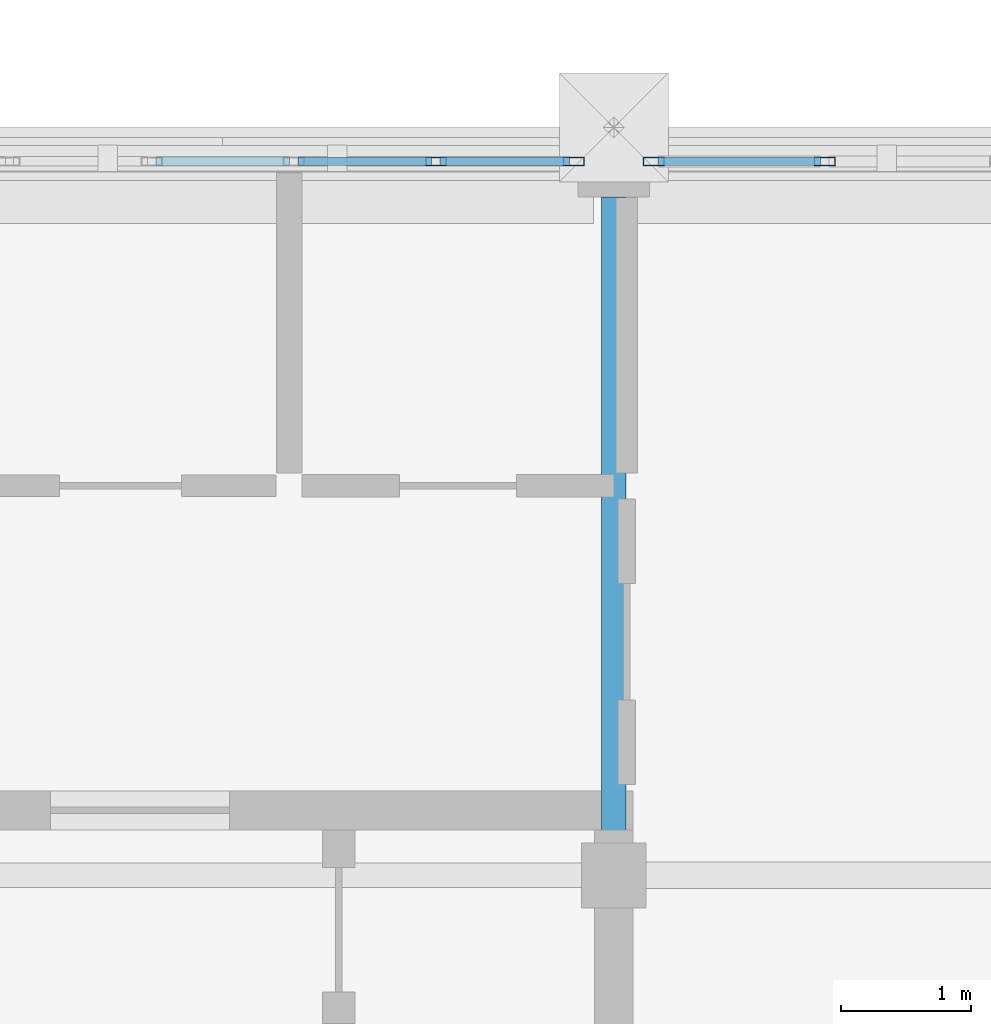
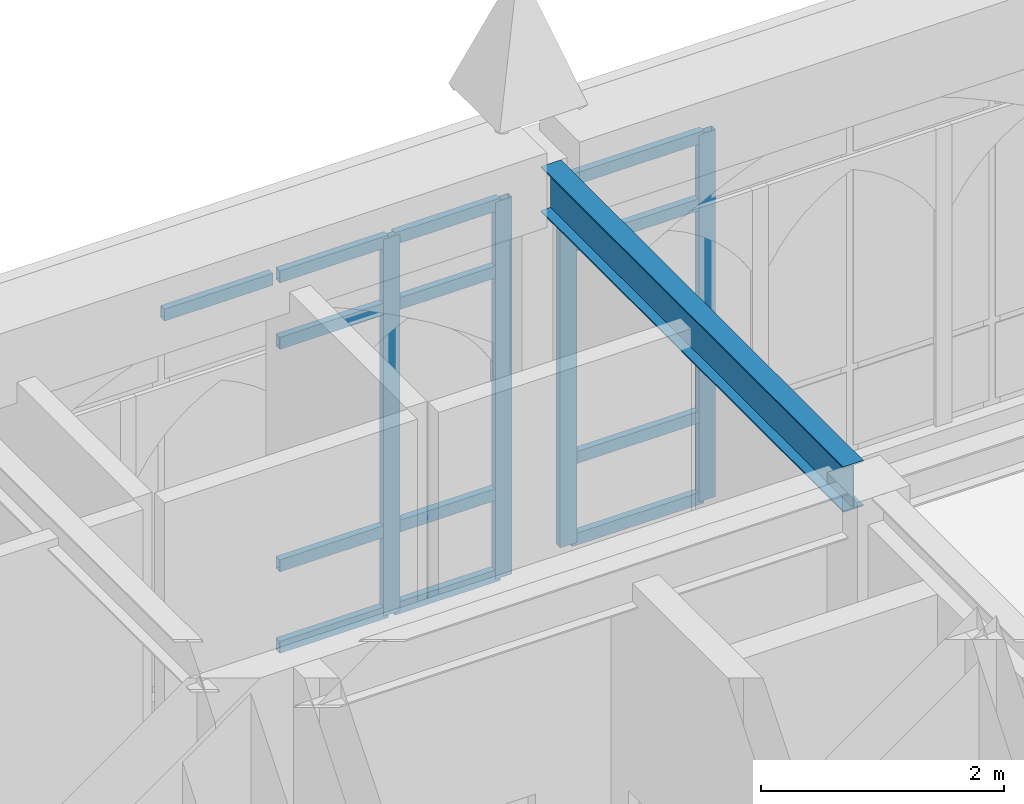
# One storey, part 5 of 143: 17 members, 1 beam, 2 elements without a shape of their own.
"""IFC4 building model written with IfcOpenShell, lengths in metres."""

import ifcopenshell
import ifcopenshell.guid

model = None  # the IFC model being written
_history = None  # IfcOwnerHistory: only IFC2X3 demands one
_inside = {}  # id of a spatial element -> (the spatial element, [elements in it])
_under = {}  # id of a project, library or spatial element -> (it, [spatial elements below it])
_declared = {}  # id of a project -> (the project, [libraries it declares])
_typed = {}  # id of a type object -> (the type object, [elements of that type])
_made_of = {}  # id of a material, layer set ... -> (it, [elements and type objects made of it])


def new_model(schema):
    """Start an empty IFC model of exactly this schema.

    Asked for "IFC4X3", IfcOpenShell would pick the latest addendum, in which some entities
    have other attributes; the version numbers below select the first issue.
    IFC2X3 requires an IfcOwnerHistory on every rooted entity: one is made here for all.
    """
    global model, _history
    if schema == "IFC4X3":
        model = ifcopenshell.file(schema_version=(4, 3, 0, 0))
    else:
        model = ifcopenshell.file(schema=schema)
    _inside.clear()
    _under.clear()
    _declared.clear()
    _typed.clear()
    _made_of.clear()
    _history = None
    if model.schema == "IFC2X3":
        org = make("IfcOrganization", Name="unknown")
        user = make(
            "IfcPersonAndOrganization",
            ThePerson=make("IfcPerson", FamilyName="unknown"),
            TheOrganization=org,
        )
        app = make(
            "IfcApplication",
            ApplicationDeveloper=org,
            Version="unknown",
            ApplicationFullName="unknown",
            ApplicationIdentifier="unknown",
        )
        _history = make(
            "IfcOwnerHistory",
            OwningUser=user,
            OwningApplication=app,
            ChangeAction="ADDED",
            CreationDate=0,
        )
    return model


def make(cls, **values):
    """One entity of the class cls with the attributes given. An attribute that is None is left unset."""
    return model.create_entity(
        cls, **{name: value for name, value in values.items() if value is not None}
    )


def rooted(cls, **values):
    """An entity with a GlobalId (a new one), such as an element, a storey or a relation."""
    return make(cls, GlobalId=ifcopenshell.guid.new(), OwnerHistory=_history, **values)


def si_unit(unit_type, name, prefix=None):
    """IfcSIUnit, for example si_unit("LENGTHUNIT", "METRE", prefix="MILLI")."""
    return make("IfcSIUnit", UnitType=unit_type, Prefix=prefix, Name=name)


def assignment(units):
    """IfcUnitAssignment: the units of a project."""
    return None if units is None else make("IfcUnitAssignment", Units=units)


def point(xyz):
    """IfcCartesianPoint."""
    return None if xyz is None else make("IfcCartesianPoint", Coordinates=xyz)


def direction(xyz):
    """IfcDirection."""
    return None if xyz is None else make("IfcDirection", DirectionRatios=xyz)


def frame(location, z_axis=None, x_axis=None):
    """IfcAxis2Placement3D, a coordinate frame: its origin and axes. An axis left out is left unset."""
    return make(
        "IfcAxis2Placement3D",
        Location=point(location),
        Axis=direction(z_axis),
        RefDirection=direction(x_axis),
    )


def frame_2d(location, x_axis=None):
    """IfcAxis2Placement2D, a coordinate frame in the plane: its origin and x axis."""
    return make(
        "IfcAxis2Placement2D", Location=point(location), RefDirection=direction(x_axis)
    )


def origin():
    """The frame at (0, 0, 0) with its axes left unset."""
    return frame((0.0, 0.0, 0.0))


def origin_2d():
    """The frame at (0, 0) in the plane with its x axis left unset."""
    return frame_2d((0.0, 0.0))


def place(relative_to, where):
    """IfcLocalPlacement: puts the frame where relative to a parent placement (None: the world)."""
    return make(
        "IfcLocalPlacement", PlacementRelTo=relative_to, RelativePlacement=where
    )


def context(
    kind, dimensions, precision=None, world=None, true_north=None, identifier=None
):
    """IfcGeometricRepresentationContext, for example the 3D "Model" context."""
    return make(
        "IfcGeometricRepresentationContext",
        ContextIdentifier=identifier,
        ContextType=kind,
        CoordinateSpaceDimension=dimensions,
        Precision=precision,
        WorldCoordinateSystem=world,
        TrueNorth=true_north,
    )


def subcontext(parent, identifier, kind, view, scale=None):
    """IfcGeometricRepresentationSubContext, for example "Body" below "Model"."""
    return make(
        "IfcGeometricRepresentationSubContext",
        ContextIdentifier=identifier,
        ContextType=kind,
        ParentContext=parent,
        TargetScale=scale,
        TargetView=view,
    )


def project(units=None, contexts=None):
    """IfcProject with its units and contexts."""
    return rooted(
        "IfcProject",
        Name="project",
        RepresentationContexts=contexts,
        UnitsInContext=assignment(units),
    )


def spatial(cls, under=None, at=None, **own):
    """A site, building, storey or space (cls), placed at a placement, below another one or the project."""
    s = rooted(cls, ObjectPlacement=at, **own)
    if under is not None:
        _under.setdefault(under.id(), (under, []))[1].append(s)
    return s


def profile(cls, at=None, kind="AREA", **sizes):
    """A parametric profile (cls). Its sizes go by their IFC names, for example OverallWidth=200.0."""
    return make(cls, ProfileType=kind, Position=at, **sizes)


def hollow_rectangle(**sizes):
    """IfcRectangleHollowProfileDef."""
    return profile("IfcRectangleHollowProfileDef", **sizes)


def i_section(**sizes):
    """IfcIShapeProfileDef."""
    return profile("IfcIShapeProfileDef", **sizes)


def extrude(swept, where, along, depth):
    """IfcExtrudedAreaSolid: the profile swept, set in the frame where, extruded along a direction by depth."""
    return make(
        "IfcExtrudedAreaSolid",
        SweptArea=swept,
        Position=where,
        ExtrudedDirection=direction(along),
        Depth=depth,
    )


def shape(context_of_items, identifier, shape_type, items):
    """IfcShapeRepresentation: the items that make up one representation, for example the "Body"."""
    return make(
        "IfcShapeRepresentation",
        ContextOfItems=context_of_items,
        RepresentationIdentifier=identifier,
        RepresentationType=shape_type,
        Items=items,
    )


def material(Name=None, Category=None):
    """IfcMaterial."""
    return make("IfcMaterial", Name=Name, Category=Category)


def layer(
    of_material, thickness, ventilated=None, Name=None, Category=None, Priority=None
):
    """IfcMaterialLayer: one layer of a wall or slab, of a material (None: an air gap)."""
    return make(
        "IfcMaterialLayer",
        Material=of_material,
        LayerThickness=thickness,
        IsVentilated=ventilated,
        Name=Name,
        Category=Category,
        Priority=Priority,
    )


def layer_set(layers, Name=None):
    """IfcMaterialLayerSet."""
    return make("IfcMaterialLayerSet", MaterialLayers=layers, LayerSetName=Name)


def material_profile(
    of_material, cross_section, Name=None, Category=None, Priority=None
):
    """IfcMaterialProfile: a cross section and its material."""
    return make(
        "IfcMaterialProfile",
        Name=Name,
        Material=of_material,
        Profile=cross_section,
        Priority=Priority,
        Category=Category,
    )


def profile_set(profiles, Name=None, composite=None):
    """IfcMaterialProfileSet."""
    return make(
        "IfcMaterialProfileSet",
        Name=Name,
        MaterialProfiles=profiles,
        CompositeProfile=composite,
    )


def made_of(thing, what):
    """Note that an element or type object is made of a material, layer set ...; save() writes the relation."""
    if what is not None:
        _made_of.setdefault(what.id(), (what, []))[1].append(thing)
    return thing


def type_object(cls, material=None, **own):
    """A type object (cls), such as IfcWallType, which elements share."""
    return made_of(rooted(cls, **own), material)


def element(
    cls,
    number,
    at=None,
    inside=None,
    cuts=None,
    type_object=None,
    material=None,
    context=None,
    identifier="Body",
    shape_type=None,
    held_by="IfcProductDefinitionShape",
    body=None,
    shapes=None,
    **own,
):
    """One element of the class cls, such as IfcWall. Its Tag is "e" and its number.

    at: its placement. inside: the storey or other place that contains it. cuts: it is an
    opening in that element (IfcRelVoidsElement). A single representation is given by context,
    identifier, shape_type and body (its items); several are given by shapes. held_by: the class
    of the entity that holds the representations. save() writes the other relations.
    """
    e = rooted(cls, Tag="e%d" % number, ObjectPlacement=at, **own)
    if body is not None:
        shapes = [shape(context, identifier, shape_type, body)]
    if shapes is not None:
        e.Representation = make(held_by, Representations=shapes)
    if inside is not None:
        _inside.setdefault(inside.id(), (inside, []))[1].append(e)
    if cuts is not None:
        rooted(
            "IfcRelVoidsElement", RelatingBuildingElement=cuts, RelatedOpeningElement=e
        )
    if type_object is not None:
        _typed.setdefault(type_object.id(), (type_object, []))[1].append(e)
    return made_of(e, material)


def aggregate(whole, parts):
    """IfcRelAggregates: a whole, such as a stair, and the parts it consists of."""
    return rooted("IfcRelAggregates", RelatingObject=whole, RelatedObjects=parts)


def save(model, path):
    """Write the relations noted so far, then the file.

    IfcRelAggregates (storeys below a building ...), IfcRelContainedInSpatialStructure (elements
    in a storey), IfcRelDefinesByType, IfcRelAssociatesMaterial and IfcRelDeclares: one each for
    every whole, place, type object, material and project.
    """
    for whole, parts in _under.values():
        aggregate(whole, parts)
    for where, things in _inside.values():
        rooted(
            "IfcRelContainedInSpatialStructure",
            RelatedElements=things,
            RelatingStructure=where,
        )
    for kind, things in _typed.values():
        rooted("IfcRelDefinesByType", RelatedObjects=things, RelatingType=kind)
    for what, things in _made_of.values():
        rooted("IfcRelAssociatesMaterial", RelatedObjects=things, RelatingMaterial=what)
    for by, libraries in _declared.values():
        rooted("IfcRelDeclares", RelatingContext=by, RelatedDefinitions=libraries)
    model.write(path)


model = new_model("IFC4")

# Units and contexts
model_context = context("Model", 3, precision=1e-05, world=origin(), true_north=direction((0.0, 1.0)))
body_context = subcontext(model_context, "Body", "Model", "MODEL_VIEW")
ifc_project = project(units=[si_unit("LENGTHUNIT", "METRE"), si_unit("AREAUNIT", "SQUARE_METRE"), si_unit("VOLUMEUNIT", "CUBIC_METRE"), si_unit("PLANEANGLEUNIT", "RADIAN"), si_unit("MASSUNIT", "GRAM", prefix="KILO")], contexts=[model_context])

# Site, building, storey
site_placement = place(None, origin())
site = spatial("IfcSite", under=ifc_project, at=site_placement, CompositionType="ELEMENT")
building_placement = place(site_placement, origin())
building = spatial("IfcBuilding", under=site, at=building_placement, Name="Cumevento Cable Car Station", CompositionType="ELEMENT")
storey_placement = place(building_placement, frame((0.0, 0.0, 9.0)))
storey = spatial("IfcBuildingStorey", under=building, at=storey_placement, Name="L03", CompositionType="ELEMENT", Elevation=9.0)

# Curtain wall, members
ifc_material_1 = material(Name="Anodised Bronze Aluminium AW-6063-T6", Category="aluminium")
ifc_layer_1 = layer(ifc_material_1, 0.177978515625)
ifc_layer_set_1 = layer_set([ifc_layer_1], Name="Anodised Bronze Aluminium AW-6063-T6")
curtain_wall_type_1 = type_object("IfcCurtainWallType", Name="Lancet Curtain Wall CW-04 1170", PredefinedType="NOTDEFINED", material=ifc_layer_set_1)
curtain_wall_1_placement = place(storey_placement, origin())
curtain_wall_1 = element("IfcCurtainWall", 1, at=curtain_wall_1_placement, inside=storey, type_object=curtain_wall_type_1, Name="Lancet Curtain Wall CW-04 L03 #67", PredefinedType="NOTDEFINED")
ifc_material_2 = material(Name="Anodised Bronze Aluminium AW-6063-T6", Category="aluminium")
ifc_material_profile_1 = material_profile(ifc_material_2, hollow_rectangle(XDim=0.06494140625, YDim=0.159912109375, WallThickness=0.00390625, at=origin_2d()), Name="ALUM65x160x4")
ifc_profile_set_1 = profile_set([ifc_material_profile_1], Name="Anodised Bronze Aluminium AW-6063-T6")
member_type_1 = type_object("IfcMemberType", Name="Curtain Mullion CWM-01 ALUM65x160x4", PredefinedType="MULLION", material=ifc_profile_set_1)
member_1_placement = place(storey_placement, frame((32.6298828125, 15.0, 0.31005859375), z_axis=(0.0, 0.0, 1.0), x_axis=(0.0, 1.0, 0.0)))
member_1 = element("IfcMember", 2, at=member_1_placement, type_object=member_type_1, Name="CW-04 mullion 5", PredefinedType="MULLION", context=body_context, shape_type="SweptSolid", body=[
    extrude(hollow_rectangle(XDim=0.06494140625, YDim=0.159912109375, WallThickness=0.00390625, at=origin_2d()), origin(), (0.0, 0.0, 1.0), 3.782958984375),
])
member_2_placement = place(storey_placement, frame((33.6923828125, 15.0, 0.31005859375), z_axis=(0.0, 0.0, 1.0), x_axis=(0.0, 1.0, 0.0)))
member_2 = element("IfcMember", 3, at=member_2_placement, type_object=member_type_1, Name="CW-04 mullion 6", PredefinedType="MULLION", context=body_context, shape_type="SweptSolid", body=[
    extrude(hollow_rectangle(XDim=0.06494140625, YDim=0.159912109375, WallThickness=0.00390625, at=origin_2d()), origin(), (0.0, 0.0, 1.0), 3.782958984375),
])

ifc_material_3 = material(Name="Anodised Bronze Aluminium AW-6063-T6", Category="aluminium")
ifc_layer_2 = layer(ifc_material_3, 0.18994140625)
ifc_layer_set_2 = layer_set([ifc_layer_2], Name="Anodised Bronze Aluminium AW-6063-T6")
curtain_wall_type_2 = type_object("IfcCurtainWallType", Name="Lancet Curtain Wall CW-06 1250", PredefinedType="NOTDEFINED", material=ifc_layer_set_2)
curtain_wall_2_placement = place(storey_placement, origin())
curtain_wall_2 = element("IfcCurtainWall", 4, at=curtain_wall_2_placement, inside=storey, type_object=curtain_wall_type_2, Name="Lancet Curtain Wall CW-06 L03 #69", PredefinedType="NOTDEFINED")
member_3_placement = place(storey_placement, frame((34.3076171875, 15.0, 0.409912109375), z_axis=(0.0, 0.0, 1.0), x_axis=(0.0, 1.0, 0.0)))
member_3 = element("IfcMember", 5, at=member_3_placement, type_object=member_type_1, Name="CW-06 mullion 1", PredefinedType="MULLION", context=body_context, shape_type="SweptSolid", body=[
    extrude(hollow_rectangle(XDim=0.06494140625, YDim=0.159912109375, WallThickness=0.00390625, at=origin_2d()), origin(), (0.0, 0.0, 1.0), 3.68310546875),
])
member_4_placement = place(storey_placement, frame((35.625, 15.0, 0.409912109375), z_axis=(0.0, 0.0, 1.0), x_axis=(0.0, 1.0, 0.0)))
member_4 = element("IfcMember", 6, at=member_4_placement, type_object=member_type_1, Name="CW-06 mullion 2", PredefinedType="MULLION", context=body_context, shape_type="SweptSolid", body=[
    extrude(hollow_rectangle(XDim=0.06494140625, YDim=0.159912109375, WallThickness=0.00390625, at=origin_2d()), origin(), (0.0, 0.0, 1.0), 3.68310546875),
])

# Member
ifc_material_4 = material(Name="Anodised Bronze Aluminium AW-6063-T6", Category="aluminium")
ifc_material_profile_2 = material_profile(ifc_material_4, hollow_rectangle(XDim=0.06494140625, YDim=0.1201171875, WallThickness=0.00390625, at=origin_2d()), Name="ALUT65x120x4")
ifc_profile_set_2 = profile_set([ifc_material_profile_2], Name="Anodised Bronze Aluminium AW-6063-T6")
member_type_2 = type_object("IfcMemberType", Name="Curtain Transom CWT-01 ALUT65x120x4", PredefinedType="USERDEFINED", material=ifc_profile_set_2)
member_5_placement = place(storey_placement, frame((30.472412109375, 15.0, 4.060546875), z_axis=(1.0, 0.0, 0.0), x_axis=(0.0, 1.0, 0.0)))
member_5 = element("IfcMember", 7, at=member_5_placement, type_object=member_type_2, Name="CW-04 transom 3.4", ObjectType="TRANSOM", PredefinedType="USERDEFINED", context=body_context, shape_type="SweptSolid", body=[
    extrude(hollow_rectangle(XDim=0.06494140625, YDim=0.1201171875, WallThickness=0.00390625, at=origin_2d()), origin(), (0.0, 0.0, 1.0), 1.030029296875),
])

member_6_placement = place(storey_placement, frame((31.5673828125, 15.0, 0.342529296875), z_axis=(1.0, 0.0, 0.0), x_axis=(0.0, 1.0, 0.0)))
member_6 = element("IfcMember", 8, at=member_6_placement, type_object=member_type_2, Name="CW-04 transom 4.1", ObjectType="TRANSOM", PredefinedType="USERDEFINED", context=body_context, shape_type="SweptSolid", body=[
    extrude(hollow_rectangle(XDim=0.06494140625, YDim=0.1201171875, WallThickness=0.00390625, at=origin_2d()), origin(), (0.0, 0.0, 1.0), 1.030029296875),
])

member_7_placement = place(storey_placement, frame((31.5673828125, 15.0, 1.159912109375), z_axis=(1.0, 0.0, 0.0), x_axis=(0.0, 1.0, 0.0)))
member_7 = element("IfcMember", 9, at=member_7_placement, type_object=member_type_2, Name="CW-04 transom 4.2", ObjectType="TRANSOM", PredefinedType="USERDEFINED", context=body_context, shape_type="SweptSolid", body=[
    extrude(hollow_rectangle(XDim=0.06494140625, YDim=0.1201171875, WallThickness=0.00390625, at=origin_2d()), origin(), (0.0, 0.0, 1.0), 1.030029296875),
])

member_8_placement = place(storey_placement, frame((31.5673828125, 15.0, 3.39306640625), z_axis=(1.0, 0.0, 0.0), x_axis=(0.0, 1.0, 0.0)))
member_8 = element("IfcMember", 10, at=member_8_placement, type_object=member_type_2, Name="CW-04 transom 4.3", ObjectType="TRANSOM", PredefinedType="USERDEFINED", context=body_context, shape_type="SweptSolid", body=[
    extrude(hollow_rectangle(XDim=0.06494140625, YDim=0.1201171875, WallThickness=0.00390625, at=origin_2d()), origin(), (0.0, 0.0, 1.0), 1.030029296875),
])

member_9_placement = place(storey_placement, frame((31.5673828125, 15.0, 4.060546875), z_axis=(1.0, 0.0, 0.0), x_axis=(0.0, 1.0, 0.0)))
member_9 = element("IfcMember", 11, at=member_9_placement, type_object=member_type_2, Name="CW-04 transom 4.4", ObjectType="TRANSOM", PredefinedType="USERDEFINED", context=body_context, shape_type="SweptSolid", body=[
    extrude(hollow_rectangle(XDim=0.06494140625, YDim=0.1201171875, WallThickness=0.00390625, at=origin_2d()), origin(), (0.0, 0.0, 1.0), 1.030029296875),
])

member_10_placement = place(storey_placement, frame((32.66259765625, 15.0, 0.342529296875), z_axis=(1.0, 0.0, 0.0), x_axis=(0.0, 1.0, 0.0)))
member_10 = element("IfcMember", 12, at=member_10_placement, type_object=member_type_2, Name="CW-04 transom 5.1", ObjectType="TRANSOM", PredefinedType="USERDEFINED", context=body_context, shape_type="SweptSolid", body=[
    extrude(hollow_rectangle(XDim=0.06494140625, YDim=0.1201171875, WallThickness=0.00390625, at=origin_2d()), origin(), (0.0, 0.0, 1.0), 0.997314453125),
])

member_11_placement = place(storey_placement, frame((32.66259765625, 15.0, 1.159912109375), z_axis=(1.0, 0.0, 0.0), x_axis=(0.0, 1.0, 0.0)))
member_11 = element("IfcMember", 13, at=member_11_placement, type_object=member_type_2, Name="CW-04 transom 5.2", ObjectType="TRANSOM", PredefinedType="USERDEFINED", context=body_context, shape_type="SweptSolid", body=[
    extrude(hollow_rectangle(XDim=0.06494140625, YDim=0.1201171875, WallThickness=0.00390625, at=origin_2d()), origin(), (0.0, 0.0, 1.0), 0.997314453125),
])

member_12_placement = place(storey_placement, frame((32.66259765625, 15.0, 3.39306640625), z_axis=(1.0, 0.0, 0.0), x_axis=(0.0, 1.0, 0.0)))
member_12 = element("IfcMember", 14, at=member_12_placement, type_object=member_type_2, Name="CW-04 transom 5.3", ObjectType="TRANSOM", PredefinedType="USERDEFINED", context=body_context, shape_type="SweptSolid", body=[
    extrude(hollow_rectangle(XDim=0.06494140625, YDim=0.1201171875, WallThickness=0.00390625, at=origin_2d()), origin(), (0.0, 0.0, 1.0), 0.997314453125),
])

member_13_placement = place(storey_placement, frame((32.66259765625, 15.0, 4.060546875), z_axis=(1.0, 0.0, 0.0), x_axis=(0.0, 1.0, 0.0)))
member_13 = element("IfcMember", 15, at=member_13_placement, type_object=member_type_2, Name="CW-04 transom 5.4", ObjectType="TRANSOM", PredefinedType="USERDEFINED", context=body_context, shape_type="SweptSolid", body=[
    extrude(hollow_rectangle(XDim=0.06494140625, YDim=0.1201171875, WallThickness=0.00390625, at=origin_2d()), origin(), (0.0, 0.0, 1.0), 0.997314453125),
])

aggregate(curtain_wall_1, [member_1, member_2, member_5, member_6, member_7, member_8, member_9, member_10, member_11, member_12, member_13])

member_14_placement = place(storey_placement, frame((34.340087890625, 15.0, 0.4423828125), z_axis=(1.0, 0.0, 0.0), x_axis=(0.0, 1.0, 0.0)))
member_14 = element("IfcMember", 16, at=member_14_placement, type_object=member_type_2, Name="CW-06 transom 1.1", ObjectType="TRANSOM", PredefinedType="USERDEFINED", context=body_context, shape_type="SweptSolid", body=[
    extrude(hollow_rectangle(XDim=0.06494140625, YDim=0.1201171875, WallThickness=0.00390625, at=origin_2d()), origin(), (0.0, 0.0, 1.0), 1.25244140625),
])

member_15_placement = place(storey_placement, frame((34.340087890625, 15.0, 1.260009765625), z_axis=(1.0, 0.0, 0.0), x_axis=(0.0, 1.0, 0.0)))
member_15 = element("IfcMember", 17, at=member_15_placement, type_object=member_type_2, Name="CW-06 transom 1.2", ObjectType="TRANSOM", PredefinedType="USERDEFINED", context=body_context, shape_type="SweptSolid", body=[
    extrude(hollow_rectangle(XDim=0.06494140625, YDim=0.1201171875, WallThickness=0.00390625, at=origin_2d()), origin(), (0.0, 0.0, 1.0), 1.25244140625),
])

member_16_placement = place(storey_placement, frame((34.340087890625, 15.0, 3.39306640625), z_axis=(1.0, 0.0, 0.0), x_axis=(0.0, 1.0, 0.0)))
member_16 = element("IfcMember", 18, at=member_16_placement, type_object=member_type_2, Name="CW-06 transom 1.3", ObjectType="TRANSOM", PredefinedType="USERDEFINED", context=body_context, shape_type="SweptSolid", body=[
    extrude(hollow_rectangle(XDim=0.06494140625, YDim=0.1201171875, WallThickness=0.00390625, at=origin_2d()), origin(), (0.0, 0.0, 1.0), 1.25244140625),
])

member_17_placement = place(storey_placement, frame((34.340087890625, 15.0, 4.060546875), z_axis=(1.0, 0.0, 0.0), x_axis=(0.0, 1.0, 0.0)))
member_17 = element("IfcMember", 19, at=member_17_placement, type_object=member_type_2, Name="CW-06 transom 1.4", ObjectType="TRANSOM", PredefinedType="USERDEFINED", context=body_context, shape_type="SweptSolid", body=[
    extrude(hollow_rectangle(XDim=0.06494140625, YDim=0.1201171875, WallThickness=0.00390625, at=origin_2d()), origin(), (0.0, 0.0, 1.0), 1.25244140625),
])

aggregate(curtain_wall_2, [member_3, member_4, member_14, member_15, member_16, member_17])

# Beam
ifc_material_5 = material(Name="Steel ASTM A572 Grade 50", Category="steel")
ifc_material_profile_3 = material_profile(ifc_material_5, i_section(OverallWidth=0.18994140625, OverallDepth=0.45703125, WebThickness=0.009033203125, FlangeThickness=0.014404296875, at=origin_2d()), Name="W460x74.0")
ifc_profile_set_3 = profile_set([ifc_material_profile_3], Name="Steel ASTM A572 Grade 50")
beam_type = type_object("IfcBeamType", Name="Structural Beam BM-04 W460x74.0", PredefinedType="BEAM", material=ifc_profile_set_3)
beam_placement = place(storey_placement, frame((34.0, 9.75, 4.271484375), z_axis=(0.0, 1.0, 0.0), x_axis=(-1.0, 0.0, 0.0)))
element("IfcBeam", 20, at=beam_placement, inside=storey, type_object=beam_type, Name="Beam BM-04 L03 #941", PredefinedType="BEAM", context=body_context, shape_type="SweptSolid", body=[
    extrude(i_section(OverallWidth=0.18994140625, OverallDepth=0.45703125, WebThickness=0.009033203125, FlangeThickness=0.014404296875, at=origin_2d()), origin(), (0.0, 0.0, 1.0), 4.97509765625),
])

save(model, "model.ifc")
